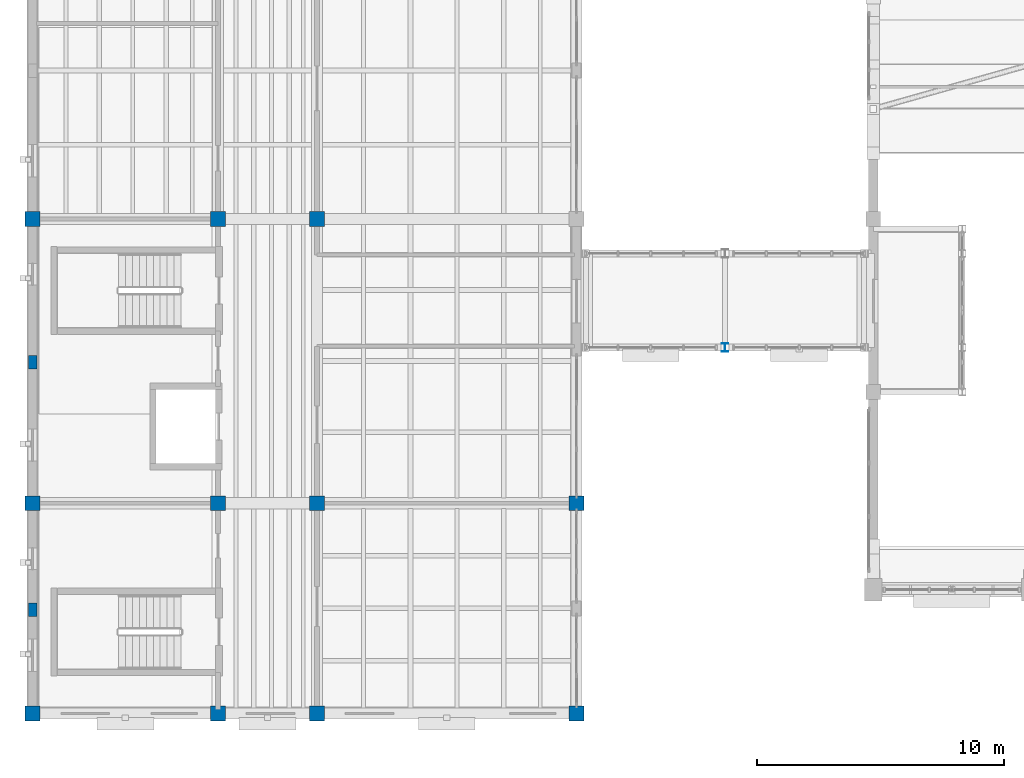
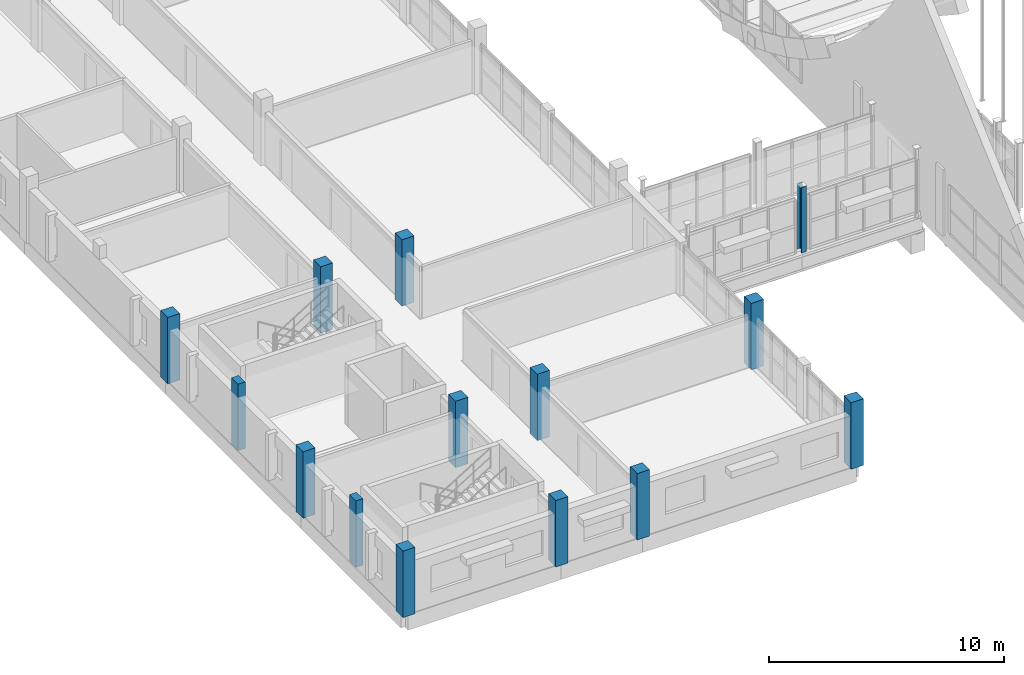
# One storey, part 1 of 77: 14 columns.
"""IFC4 building model written with IfcOpenShell, lengths in metres."""

from ifc_helpers import new_model, si_unit, direction, frame, origin, origin_2d, place, context, subcontext, project, spatial, rectangle, i_section, extrude, material, material_profile, profile_set, type_object, element, save


model = new_model("IFC4")

# Units and contexts
model_context = context("Model", 3, precision=1e-05, world=origin(), true_north=direction((0.0, 1.0)))
body_context = subcontext(model_context, "Body", "Model", "MODEL_VIEW")
ifc_project = project(units=[si_unit("LENGTHUNIT", "METRE"), si_unit("AREAUNIT", "SQUARE_METRE"), si_unit("VOLUMEUNIT", "CUBIC_METRE"), si_unit("PLANEANGLEUNIT", "RADIAN"), si_unit("MASSUNIT", "GRAM", prefix="KILO")], contexts=[model_context])

# Site, building, storey
site_placement = place(None, origin())
site = spatial("IfcSite", under=ifc_project, at=site_placement, CompositionType="ELEMENT")
building_placement = place(site_placement, origin())
building = spatial("IfcBuilding", under=site, at=building_placement, Name="Trellovar Central Fire Station", CompositionType="ELEMENT")
storey_placement = place(building_placement, frame((0.0, 0.0, 5.85009765625)))
storey = spatial("IfcBuildingStorey", under=building, at=storey_placement, Name="L02", CompositionType="ELEMENT", Elevation=5.85009765625)

# Columns
ifc_material_1 = material(Name="Concrete C40/50", Category="concrete")
ifc_material_profile_1 = material_profile(ifc_material_1, rectangle(XDim=0.60009765625, YDim=0.60009765625, at=origin_2d()), Name="RC600X600")
ifc_profile_set_1 = profile_set([ifc_material_profile_1], Name="Concrete C40/50")
column_type_1 = type_object("IfcColumnType", Name="COL-C6", PredefinedType="COLUMN", material=ifc_profile_set_1)
for number, where, z_axis, x_axis, name in (
    (1, (1.0, 9.0, 0.0), (0.0, 0.0, 1.0), (1.0, 0.0, 0.0), "L02 column C-6"),
    (2, (1.0, 17.5, 0.0), (0.0, 0.0, 1.0), (1.0, 0.0, 0.0), "L02 column C-6"),
    (3, (1.0, 29.0, 0.0), (0.0, 0.0, 1.0), (1.0, 0.0, 0.0), "L02 column C-6"),
    (4, (8.5, 9.0, 0.0), (0.0, 0.0, 1.0), (1.0, 0.0, 0.0), "L02 column C-6"),
    (5, (8.5, 17.5, 0.0), (0.0, 0.0, 1.0), (1.0, 0.0, 0.0), "L02 column C-6"),
    (6, (8.5, 29.0, 0.0), (0.0, 0.0, 1.0), (1.0, 0.0, 0.0), "L02 column C-6"),
    (7, (12.5, 9.0, 0.0), (0.0, 0.0, 1.0), (1.0, 0.0, 0.0), "L02 column C-6"),
    (8, (12.5, 17.5, 0.0), (0.0, 0.0, 1.0), (1.0, 0.0, 0.0), "L02 column C-6"),
    (9, (12.5, 29.0, 0.0), (0.0, 0.0, 1.0), (1.0, 0.0, 0.0), "L02 column C-6"),
    (10, (23.0, 9.0, 0.0), (0.0, 0.0, 1.0), (1.0, 0.0, 0.0), "L02 column C-6"),
    (11, (23.0, 17.5, 0.0), (0.0, 0.0, 1.0), (1.0, 0.0, 0.0), "L02 column C-6"),
):
    element("IfcColumn", number, at=place(storey_placement, frame(where, z_axis=z_axis, x_axis=x_axis)), inside=storey, type_object=column_type_1, Name=name, PredefinedType="COLUMN", context=body_context, shape_type="SweptSolid", body=[
        extrude(rectangle(XDim=0.60009765625, YDim=0.60009765625, at=origin_2d()), origin(), (0.0, 0.0, 1.0), 3.449951171875),
    ])
ifc_material_2 = material(Name="Concrete C40/50", Category="concrete")
ifc_material_profile_2 = material_profile(ifc_material_2, rectangle(XDim=0.35009765625, YDim=0.550048828125, at=origin_2d()), Name="RC350X550")
ifc_profile_set_2 = profile_set([ifc_material_profile_2], Name="Concrete C40/50")
column_type_2 = type_object("IfcColumnType", Name="COL-PIL2", PredefinedType="PILASTER", material=ifc_profile_set_2)
for number, where, z_axis, x_axis, name in (
    (12, (1.0, 13.199951171875, 0.0), (0.0, 0.0, 1.0), (1.0, 0.0, 0.0), "V4 west projecting sun-pier L02-1"),
    (13, (1.0, 23.199951171875, 0.0), (0.0, 0.0, 1.0), (1.0, 0.0, 0.0), "V4 west projecting sun-pier L02-2"),
):
    element("IfcColumn", number, at=place(storey_placement, frame(where, z_axis=z_axis, x_axis=x_axis)), inside=storey, type_object=column_type_2, Name=name, PredefinedType="PILASTER", context=body_context, shape_type="SweptSolid", body=[
        extrude(rectangle(XDim=0.35009765625, YDim=0.550048828125, at=origin_2d()), origin(), (0.0, 0.0, 1.0), 3.449951171875),
    ])
ifc_material_3 = material(Name="Steel ASTM A992 Grade 50", Category="steel")
ifc_material_profile_3 = material_profile(ifc_material_3, i_section(OverallWidth=0.253662109375, OverallDepth=0.352783203125, WebThickness=0.009521484375, FlangeThickness=0.016357421875, FilletRadius=0.01513671875, at=origin_2d()), Name="W14X61")
ifc_profile_set_3 = profile_set([ifc_material_profile_3], Name="Steel ASTM A992 Grade 50")
column_type_3 = type_object("IfcColumnType", Name="COL-SC2", PredefinedType="COLUMN", material=ifc_profile_set_3)
column_placement = place(storey_placement, frame((29.0, 23.800048828125, 0.0), z_axis=(0.0, 0.0, 1.0), x_axis=(1.0, 0.0, 0.0)))
element("IfcColumn", 14, at=column_placement, inside=storey, type_object=column_type_3, Name="Cloister bridge central vault post L02", PredefinedType="COLUMN", context=body_context, shape_type="SweptSolid", body=[
    extrude(i_section(OverallWidth=0.253662109375, OverallDepth=0.352783203125, WebThickness=0.009521484375, FlangeThickness=0.016357421875, FilletRadius=0.01513671875, at=origin_2d()), origin(), (0.0, 0.0, 1.0), 3.39990234375),
])

save(model, "model.ifc")
